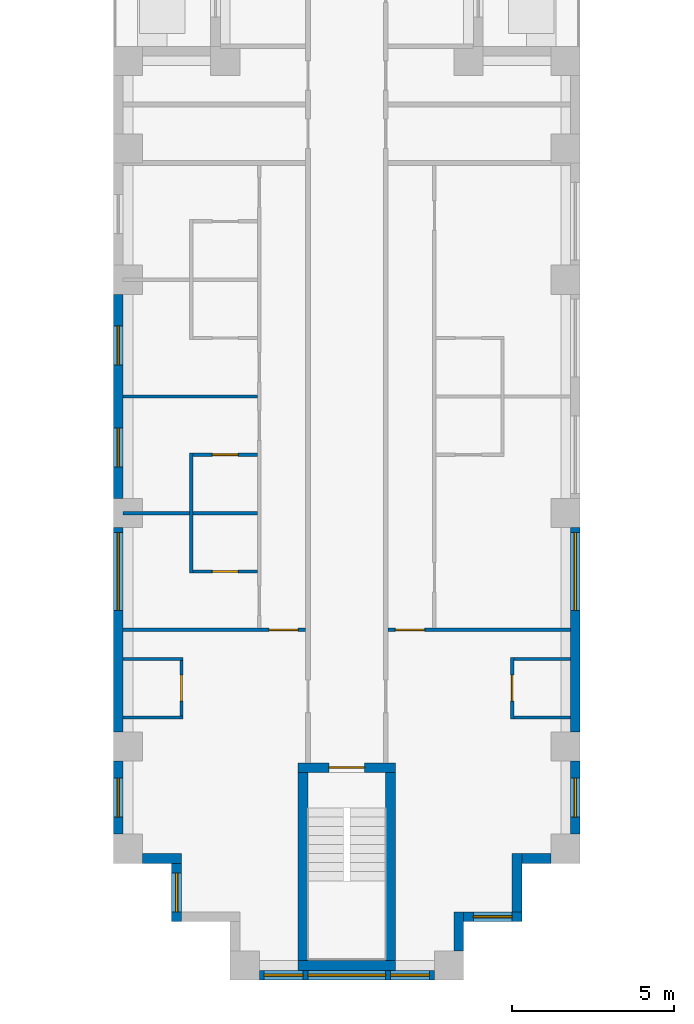
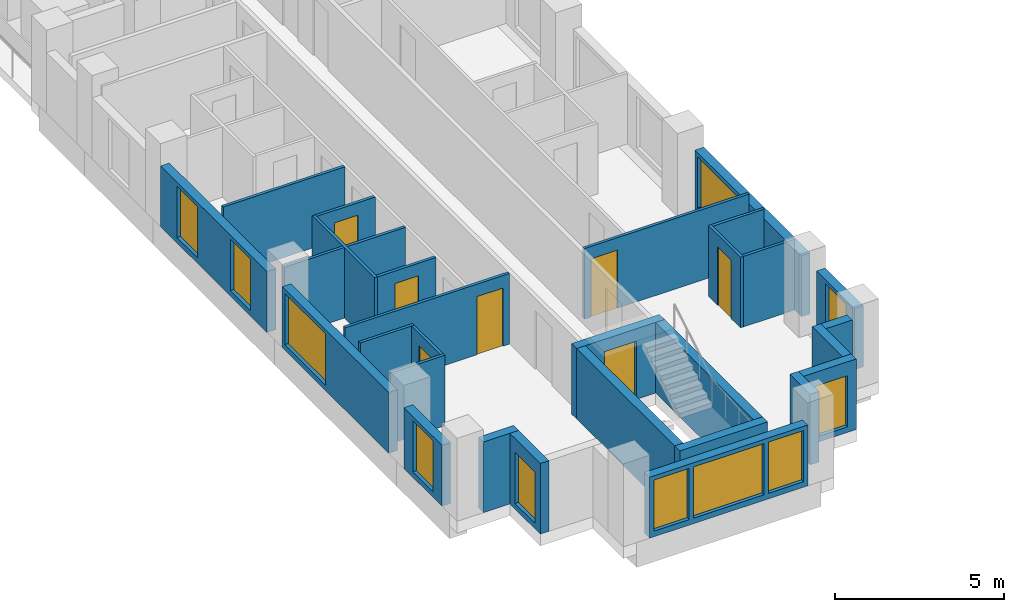
# One storey, part 3 of 13: 29 walls, 11 windows, 7 doors, 18 openings.
"""IFC4 building model written with IfcOpenShell, lengths in metres."""

from ifc_helpers import new_model, si_unit, direction, frame, frame_2d, origin, place, context, subcontext, project, spatial, rectangle, extrude, material, layer, layer_set, type_object, element, fill, save


model = new_model("IFC4")

# Units and contexts
model_context = context("Model", 3, precision=1e-05, world=origin(), true_north=direction((0.0, 1.0)))
body_context = subcontext(model_context, "Body", "Model", "MODEL_VIEW")
ifc_project = project(units=[si_unit("LENGTHUNIT", "METRE"), si_unit("AREAUNIT", "SQUARE_METRE"), si_unit("VOLUMEUNIT", "CUBIC_METRE"), si_unit("PLANEANGLEUNIT", "RADIAN"), si_unit("MASSUNIT", "GRAM", prefix="KILO")], contexts=[model_context])

# Site, building, storey
site_placement = place(None, origin())
site = spatial("IfcSite", under=ifc_project, at=site_placement, CompositionType="ELEMENT")
building_placement = place(site_placement, origin())
building = spatial("IfcBuilding", under=site, at=building_placement, Name="Fustian Cross Tower", CompositionType="ELEMENT")
storey_placement = place(building_placement, frame((0.0, 0.0, 108.89990234375)))
storey = spatial("IfcBuildingStorey", under=building, at=storey_placement, Name="L34", CompositionType="ELEMENT", Elevation=108.89990234375)

# Walls
ifc_material_1 = material(Name="Plasterboard on steel stud", Category="steel")
ifc_layer_1 = layer(ifc_material_1, 0.10009765625)
ifc_layer_set_1 = layer_set([ifc_layer_1], Name="Plasterboard on steel stud")
wall_type_1 = type_object("IfcWallType", Name="PARTITION 100 STUD", PredefinedType="PARTITIONING", material=ifc_layer_set_1)
for number, where, z_axis, x_axis, name in (
    (1, (-6.89990234375, -35.10009765625, 0.0), (0.0, 0.0, 1.0), (1.0, 0.0, 0.0), "Partition 15"),
    (2, (-6.89990234375, -33.300048828125, 0.0), (0.0, 0.0, 1.0), (1.0, 0.0, 0.0), "Partition 16"),
):
    element("IfcWall", number, at=place(storey_placement, frame(where, z_axis=z_axis, x_axis=x_axis)), inside=storey, type_object=wall_type_1, Name=name, PredefinedType="PARTITIONING", context=body_context, shape_type="SweptSolid", body=[
        extrude(rectangle(XDim=1.849853515625, YDim=0.10009765625, at=frame_2d((0.9248046875, 0.0))), origin(), (0.0, 0.0, 1.0), 2.550048828125),
    ])

# Wall, opening, door
wall_1_placement = place(storey_placement, frame((-6.89990234375, -32.39990234375, 0.0), z_axis=(0.0, 0.0, 1.0), x_axis=(1.0, 0.0, 0.0)))
wall_1 = element("IfcWall", 3, at=wall_1_placement, inside=storey, type_object=wall_type_1, Name="Partition 17", PredefinedType="PARTITIONING", context=body_context, shape_type="SweptSolid", body=[
    extrude(rectangle(XDim=5.625, YDim=0.10009765625, at=frame_2d((2.8125, 0.0))), origin(), (0.0, 0.0, 1.0), 2.550048828125),
])
opening_1_placement = place(wall_1_placement, frame((4.5, 0.0, 0.0)))
opening_1 = element("IfcOpeningElement", 4, at=opening_1_placement, cuts=wall_1, Name="Opening D15056", PredefinedType="OPENING", context=body_context, shape_type="SweptSolid", body=[
    extrude(rectangle(XDim=0.89990234375, YDim=2.10009765625, at=frame_2d((0.449951171875, 1.050048828125))), frame((0.0, 0.06005859375, 0.0), z_axis=(0.0, -1.0, 0.0), x_axis=(1.0, 0.0, 0.0)), (0.0, 0.0, 1.0), 0.1201171875),
])
ifc_material_2 = material(Name="Painted timber", Category="wood")
door_type_1 = type_object("IfcDoorType", Name="SWING DOOR 900", OperationType="SINGLE_SWING_LEFT", PredefinedType="DOOR", material=ifc_material_2)
door_1_placement = place(opening_1_placement, origin())
door_1 = element("IfcDoor", 5, at=door_1_placement, inside=storey, type_object=door_type_1, Name="Door D15056", OperationType="SINGLE_SWING_LEFT", OverallHeight=2.10009765625, OverallWidth=0.89990234375, PredefinedType="DOOR", context=body_context, shape_type="SweptSolid", body=[
    extrude(rectangle(XDim=0.89990234375, YDim=2.10009765625, at=frame_2d((0.449951171875, 1.050048828125))), frame((0.0, 0.02490234375, 0.0), z_axis=(0.0, -1.0, 0.0), x_axis=(1.0, 0.0, 0.0)), (0.0, 0.0, 1.0), 0.050048828125),
])
fill(opening_1, door_1)

# Walls
for number, where, z_axis, x_axis, name in (
    (6, (-6.89990234375, -28.800048828125, 0.0), (0.0, 0.0, 1.0), (1.0, 0.0, 0.0), "Partition 18"),
    (7, (-6.89990234375, -25.199951171875, 0.0), (0.0, 0.0, 1.0), (1.0, 0.0, 0.0), "Partition 19"),
):
    element("IfcWall", number, at=place(storey_placement, frame(where, z_axis=z_axis, x_axis=x_axis)), inside=storey, type_object=wall_type_1, Name=name, PredefinedType="PARTITIONING", context=body_context, shape_type="SweptSolid", body=[
        extrude(rectangle(XDim=4.14990234375, YDim=0.10009765625, at=frame_2d((2.074951171875, 0.0))), origin(), (0.0, 0.0, 1.0), 2.550048828125),
    ])

# Wall, opening, door
wall_2_placement = place(storey_placement, frame((-5.10009765625, -35.050048828125, 0.0), z_axis=(0.0, 0.0, 1.0), x_axis=(0.0, 1.0, 0.0)))
wall_2 = element("IfcWall", 8, at=wall_2_placement, inside=storey, type_object=wall_type_1, Name="Partition 24", PredefinedType="PARTITIONING", context=body_context, shape_type="SweptSolid", body=[
    extrude(rectangle(XDim=1.699951171875, YDim=0.10009765625, at=frame_2d((0.85009765625, 0.0))), origin(), (0.0, 0.0, 1.0), 2.550048828125),
])
opening_2_placement = place(wall_2_placement, frame((0.449951171875, 0.0, 0.0)))
opening_2 = element("IfcOpeningElement", 9, at=opening_2_placement, cuts=wall_2, Name="Opening D15050", PredefinedType="OPENING", context=body_context, shape_type="SweptSolid", body=[
    extrude(rectangle(XDim=0.800048828125, YDim=2.10009765625, at=frame_2d((0.39990234375, 1.050048828125))), frame((0.0, 0.06005859375, 0.0), z_axis=(0.0, -1.0, 0.0), x_axis=(1.0, 0.0, 0.0)), (0.0, 0.0, 1.0), 0.1201171875),
])
ifc_material_3 = material(Name="Painted timber", Category="wood")
door_type_2 = type_object("IfcDoorType", Name="SWING DOOR 800", OperationType="SINGLE_SWING_LEFT", PredefinedType="DOOR", material=ifc_material_3)
door_2_placement = place(opening_2_placement, origin())
door_2 = element("IfcDoor", 10, at=door_2_placement, inside=storey, type_object=door_type_2, Name="Door D15050", OperationType="SINGLE_SWING_RIGHT", OverallHeight=2.10009765625, OverallWidth=0.800048828125, PredefinedType="DOOR", context=body_context, shape_type="SweptSolid", body=[
    extrude(rectangle(XDim=0.800048828125, YDim=2.10009765625, at=frame_2d((0.39990234375, 1.050048828125))), frame((0.0, 0.02490234375, 0.0), z_axis=(0.0, -1.0, 0.0), x_axis=(1.0, 0.0, 0.0)), (0.0, 0.0, 1.0), 0.050048828125),
])
fill(opening_2, door_2)

# Wall
wall_3_placement = place(storey_placement, frame((-4.800048828125, -30.64990234375, 0.0), z_axis=(0.0, 0.0, 1.0), x_axis=(0.0, 1.0, 0.0)))
element("IfcWall", 11, at=wall_3_placement, inside=storey, type_object=wall_type_1, Name="Partition 25", PredefinedType="PARTITIONING", context=body_context, shape_type="SweptSolid", body=[
    extrude(rectangle(XDim=3.699951171875, YDim=0.10009765625, at=frame_2d((1.85009765625, 0.0))), origin(), (0.0, 0.0, 1.0), 2.550048828125),
])

# Wall, opening, door
wall_4_placement = place(storey_placement, frame((-4.75, -30.60009765625, 0.0), z_axis=(0.0, 0.0, 1.0), x_axis=(1.0, 0.0, 0.0)))
wall_4 = element("IfcWall", 12, at=wall_4_placement, inside=storey, type_object=wall_type_1, Name="Partition 26", PredefinedType="PARTITIONING", context=body_context, shape_type="SweptSolid", body=[
    extrude(rectangle(XDim=2.0, YDim=0.10009765625, at=frame_2d((1.0, 0.0))), origin(), (0.0, 0.0, 1.0), 2.550048828125),
])
opening_3_placement = place(wall_4_placement, frame((0.60009765625, 0.0, 0.0)))
opening_3 = element("IfcOpeningElement", 13, at=opening_3_placement, cuts=wall_4, Name="Opening D15060", PredefinedType="OPENING", context=body_context, shape_type="SweptSolid", body=[
    extrude(rectangle(XDim=0.800048828125, YDim=2.10009765625, at=frame_2d((0.39990234375, 1.050048828125))), frame((0.0, 0.06005859375, 0.0), z_axis=(0.0, -1.0, 0.0), x_axis=(1.0, 0.0, 0.0)), (0.0, 0.0, 1.0), 0.1201171875),
])
door_3_placement = place(opening_3_placement, origin())
door_3 = element("IfcDoor", 14, at=door_3_placement, inside=storey, type_object=door_type_2, Name="Door D15060", OperationType="SINGLE_SWING_LEFT", OverallHeight=2.10009765625, OverallWidth=0.800048828125, PredefinedType="DOOR", context=body_context, shape_type="SweptSolid", body=[
    extrude(rectangle(XDim=0.800048828125, YDim=2.10009765625, at=frame_2d((0.39990234375, 1.050048828125))), frame((0.0, 0.02490234375, 0.0), z_axis=(0.0, -1.0, 0.0), x_axis=(1.0, 0.0, 0.0)), (0.0, 0.0, 1.0), 0.050048828125),
])
fill(opening_3, door_3)

wall_5_placement = place(storey_placement, frame((-4.75, -27.0, 0.0), z_axis=(0.0, 0.0, 1.0), x_axis=(1.0, 0.0, 0.0)))
wall_5 = element("IfcWall", 15, at=wall_5_placement, inside=storey, type_object=wall_type_1, Name="Partition 27", PredefinedType="PARTITIONING", context=body_context, shape_type="SweptSolid", body=[
    extrude(rectangle(XDim=2.0, YDim=0.10009765625, at=frame_2d((1.0, 0.0))), origin(), (0.0, 0.0, 1.0), 2.550048828125),
])
opening_4_placement = place(wall_5_placement, frame((0.60009765625, 0.0, 0.0)))
opening_4 = element("IfcOpeningElement", 16, at=opening_4_placement, cuts=wall_5, Name="Opening D15059", PredefinedType="OPENING", context=body_context, shape_type="SweptSolid", body=[
    extrude(rectangle(XDim=0.800048828125, YDim=2.10009765625, at=frame_2d((0.39990234375, 1.050048828125))), frame((0.0, 0.06005859375, 0.0), z_axis=(0.0, -1.0, 0.0), x_axis=(1.0, 0.0, 0.0)), (0.0, 0.0, 1.0), 0.1201171875),
])
door_4_placement = place(opening_4_placement, frame((0.800048828125, 0.0, 0.0), z_axis=(0.0, 0.0, 1.0), x_axis=(-1.0, 0.0, 0.0)))
door_4 = element("IfcDoor", 17, at=door_4_placement, inside=storey, type_object=door_type_2, Name="Door D15059", OperationType="SINGLE_SWING_RIGHT", OverallHeight=2.10009765625, OverallWidth=0.800048828125, PredefinedType="DOOR", context=body_context, shape_type="SweptSolid", body=[
    extrude(rectangle(XDim=0.800048828125, YDim=2.10009765625, at=frame_2d((0.39990234375, 1.050048828125))), frame((0.0, 0.02490234375, 0.0), z_axis=(0.0, -1.0, 0.0), x_axis=(1.0, 0.0, 0.0)), (0.0, 0.0, 1.0), 0.050048828125),
])
fill(opening_4, door_4)

wall_6_placement = place(storey_placement, frame((1.27490234375, -32.39990234375, 0.0), z_axis=(0.0, 0.0, 1.0), x_axis=(1.0, 0.0, 0.0)))
wall_6 = element("IfcWall", 18, at=wall_6_placement, inside=storey, type_object=wall_type_1, Name="Partition 44", PredefinedType="PARTITIONING", context=body_context, shape_type="SweptSolid", body=[
    extrude(rectangle(XDim=5.625, YDim=0.10009765625, at=frame_2d((2.8125, 0.0))), origin(), (0.0, 0.0, 1.0), 2.550048828125),
])
opening_5_placement = place(wall_6_placement, frame((0.22509765625, 0.0, 0.0)))
opening_5 = element("IfcOpeningElement", 19, at=opening_5_placement, cuts=wall_6, Name="Opening D15042", PredefinedType="OPENING", context=body_context, shape_type="SweptSolid", body=[
    extrude(rectangle(XDim=0.89990234375, YDim=2.10009765625, at=frame_2d((0.449951171875, 1.050048828125))), frame((0.0, 0.06005859375, 0.0), z_axis=(0.0, -1.0, 0.0), x_axis=(1.0, 0.0, 0.0)), (0.0, 0.0, 1.0), 0.1201171875),
])
door_5_placement = place(opening_5_placement, origin())
door_5 = element("IfcDoor", 20, at=door_5_placement, inside=storey, type_object=door_type_1, Name="Door D15042", OperationType="SINGLE_SWING_LEFT", OverallHeight=2.10009765625, OverallWidth=0.89990234375, PredefinedType="DOOR", context=body_context, shape_type="SweptSolid", body=[
    extrude(rectangle(XDim=0.89990234375, YDim=2.10009765625, at=frame_2d((0.449951171875, 1.050048828125))), frame((0.0, 0.02490234375, 0.0), z_axis=(0.0, -1.0, 0.0), x_axis=(1.0, 0.0, 0.0)), (0.0, 0.0, 1.0), 0.050048828125),
])
fill(opening_5, door_5)

wall_7_placement = place(storey_placement, frame((5.10009765625, -35.14990234375, 0.0), z_axis=(0.0, 0.0, 1.0), x_axis=(0.0, 1.0, 0.0)))
wall_7 = element("IfcWall", 21, at=wall_7_placement, inside=storey, type_object=wall_type_1, Name="Partition 66", PredefinedType="PARTITIONING", context=body_context, shape_type="SweptSolid", body=[
    extrude(rectangle(XDim=1.89990234375, YDim=0.10009765625, at=frame_2d((0.949951171875, 0.0))), origin(), (0.0, 0.0, 1.0), 2.550048828125),
])
opening_6_placement = place(wall_7_placement, frame((0.550048828125, 0.0, 0.0)))
opening_6 = element("IfcOpeningElement", 22, at=opening_6_placement, cuts=wall_7, Name="Opening D15040", PredefinedType="OPENING", context=body_context, shape_type="SweptSolid", body=[
    extrude(rectangle(XDim=0.800048828125, YDim=2.10009765625, at=frame_2d((0.39990234375, 1.050048828125))), frame((0.0, 0.06005859375, 0.0), z_axis=(0.0, -1.0, 0.0), x_axis=(1.0, 0.0, 0.0)), (0.0, 0.0, 1.0), 0.1201171875),
])
door_6_placement = place(opening_6_placement, frame((0.800048828125, 0.0, 0.0), z_axis=(0.0, 0.0, 1.0), x_axis=(-1.0, 0.0, 0.0)))
door_6 = element("IfcDoor", 23, at=door_6_placement, inside=storey, type_object=door_type_2, Name="Door D15040", OperationType="SINGLE_SWING_LEFT", OverallHeight=2.10009765625, OverallWidth=0.800048828125, PredefinedType="DOOR", context=body_context, shape_type="SweptSolid", body=[
    extrude(rectangle(XDim=0.800048828125, YDim=2.10009765625, at=frame_2d((0.39990234375, 1.050048828125))), frame((0.0, 0.02490234375, 0.0), z_axis=(0.0, -1.0, 0.0), x_axis=(1.0, 0.0, 0.0)), (0.0, 0.0, 1.0), 0.050048828125),
])
fill(opening_6, door_6)

# Walls
for number, where, z_axis, x_axis, name in (
    (24, (5.14990234375, -35.10009765625, 0.0), (0.0, 0.0, 1.0), (1.0, 0.0, 0.0), "Partition 67"),
    (25, (5.14990234375, -33.300048828125, 0.0), (0.0, 0.0, 1.0), (1.0, 0.0, 0.0), "Partition 68"),
):
    element("IfcWall", number, at=place(storey_placement, frame(where, z_axis=z_axis, x_axis=x_axis)), inside=storey, type_object=wall_type_1, Name=name, PredefinedType="PARTITIONING", context=body_context, shape_type="SweptSolid", body=[
        extrude(rectangle(XDim=1.75, YDim=0.10009765625, at=frame_2d((0.875, 0.0))), origin(), (0.0, 0.0, 1.0), 2.550048828125),
    ])

# Wall, opening, door
ifc_material_4 = material(Name="Concrete C50/60", Category="concrete")
ifc_layer_2 = layer(ifc_material_4, 0.300048828125)
ifc_layer_set_2 = layer_set([ifc_layer_2], Name="Concrete C50/60")
wall_type_2 = type_object("IfcWallType", Name="STAIR ENCLOSURE WALL 300 C50/60", PredefinedType="SHEAR", material=ifc_layer_set_2)
wall_8_placement = place(storey_placement, frame((-1.5, -36.64990234375, 0.0), z_axis=(0.0, 0.0, 1.0), x_axis=(1.0, 0.0, 0.0)))
wall_8 = element("IfcWall", 26, at=wall_8_placement, inside=storey, type_object=wall_type_2, Name="Stair enclosure wall", PredefinedType="SHEAR", context=body_context, shape_type="SweptSolid", body=[
    extrude(rectangle(XDim=3.0, YDim=0.300048828125, at=frame_2d((1.5, 0.0))), origin(), (0.0, 0.0, 1.0), 2.550048828125),
])
opening_7_placement = place(wall_8_placement, frame((0.949951171875, 0.0, 0.0)))
opening_7 = element("IfcOpeningElement", 27, at=opening_7_placement, cuts=wall_8, Name="Opening CD-12-31", PredefinedType="OPENING", context=body_context, shape_type="SweptSolid", body=[
    extrude(rectangle(XDim=1.10009765625, YDim=2.10009765625, at=frame_2d((0.550048828125, 1.050048828125))), frame((0.0, 0.159912109375, 0.0), z_axis=(0.0, -1.0, 0.0), x_axis=(1.0, 0.0, 0.0)), (0.0, 0.0, 1.0), 0.320068359375),
])
ifc_material_5 = material(Name="Steel", Category="steel")
door_type_3 = type_object("IfcDoorType", Name="FIRE DOOR FD60S 1100X2100", OperationType="SINGLE_SWING_LEFT", PredefinedType="DOOR", material=ifc_material_5)
door_7_placement = place(opening_7_placement, frame((1.10009765625, 0.0, 0.0), z_axis=(0.0, 0.0, 1.0), x_axis=(-1.0, 0.0, 0.0)))
door_7 = element("IfcDoor", 28, at=door_7_placement, inside=storey, type_object=door_type_3, Name="Core door CD-12-31", OperationType="SINGLE_SWING_RIGHT", OverallHeight=2.10009765625, OverallWidth=1.10009765625, PredefinedType="DOOR", context=body_context, shape_type="SweptSolid", body=[
    extrude(rectangle(XDim=1.10009765625, YDim=2.10009765625, at=frame_2d((0.550048828125, 1.050048828125))), frame((0.0, 0.02490234375, 0.0), z_axis=(0.0, -1.0, 0.0), x_axis=(1.0, 0.0, 0.0)), (0.0, 0.0, 1.0), 0.050048828125),
])
fill(opening_7, door_7)

# Walls
wall_9_placement = place(storey_placement, frame((-1.5, -42.75, 0.0), z_axis=(0.0, 0.0, 1.0), x_axis=(1.0, 0.0, 0.0)))
element("IfcWall", 29, at=wall_9_placement, inside=storey, type_object=wall_type_2, Name="Stair enclosure wall", PredefinedType="SHEAR", context=body_context, shape_type="SweptSolid", body=[
    extrude(rectangle(XDim=3.0, YDim=0.300048828125, at=frame_2d((1.5, 0.0))), origin(), (0.0, 0.0, 1.0), 2.550048828125),
])
for number, where, z_axis, x_axis, name in (
    (30, (-1.35009765625, -36.800048828125, 0.0), (0.0, 0.0, 1.0), (0.0, -1.0, 0.0), "Stair enclosure wall"),
    (31, (1.35009765625, -36.800048828125, 0.0), (0.0, 0.0, 1.0), (0.0, -1.0, 0.0), "Stair enclosure wall"),
):
    element("IfcWall", number, at=place(storey_placement, frame(where, z_axis=z_axis, x_axis=x_axis)), inside=storey, type_object=wall_type_2, Name=name, PredefinedType="SHEAR", context=body_context, shape_type="SweptSolid", body=[
        extrude(rectangle(XDim=5.800048828125, YDim=0.300048828125, at=frame_2d((2.89990234375, 0.0))), origin(), (0.0, 0.0, 1.0), 2.550048828125),
    ])

# Wall, openings, windows
ifc_material_6 = material(Name="Dark aluminium cladding on insulated backing wall", Category="aluminium")
ifc_layer_3 = layer(ifc_material_6, 0.300048828125)
ifc_layer_set_3 = layer_set([ifc_layer_3], Name="Dark aluminium cladding on insulated backing wall")
wall_type_3 = type_object("IfcWallType", Name="XW1 EXTERNAL WALL 300", PredefinedType="SOLIDWALL", material=ifc_layer_set_3)
wall_10_placement = place(storey_placement, frame((-7.050048828125, -22.050048828125, 0.0), z_axis=(0.0, 0.0, 1.0), x_axis=(0.0, -1.0, 0.0)))
wall_10 = element("IfcWall", 32, at=wall_10_placement, inside=storey, type_object=wall_type_3, Name="External wall", PredefinedType="SOLIDWALL", context=body_context, shape_type="SweptSolid", body=[
    extrude(rectangle(XDim=6.300048828125, YDim=0.300048828125, at=frame_2d((3.14990234375, 0.0))), origin(), (0.0, 0.0, 1.0), 2.2001953125),
])
opening_8_placement = place(wall_10_placement, frame((0.97509765625, 0.0, 0.199951171875)))
opening_8 = element("IfcOpeningElement", 33, at=opening_8_placement, cuts=wall_10, Name="Opening WN3", PredefinedType="OPENING", context=body_context, shape_type="SweptSolid", body=[
    extrude(rectangle(XDim=1.199951171875, YDim=1.85009765625, at=frame_2d((0.60009765625, 0.925048828125))), frame((0.0, 0.159912109375, 0.0), z_axis=(0.0, -1.0, 0.0), x_axis=(1.0, 0.0, 0.0)), (0.0, 0.0, 1.0), 0.320068359375),
])
opening_9_placement = place(wall_10_placement, frame((4.125, 0.0, 0.199951171875)))
opening_9 = element("IfcOpeningElement", 34, at=opening_9_placement, cuts=wall_10, Name="Opening WN3", PredefinedType="OPENING", context=body_context, shape_type="SweptSolid", body=[
    extrude(rectangle(XDim=1.199951171875, YDim=1.85009765625, at=frame_2d((0.60009765625, 0.925048828125))), frame((0.0, 0.159912109375, 0.0), z_axis=(0.0, -1.0, 0.0), x_axis=(1.0, 0.0, 0.0)), (0.0, 0.0, 1.0), 0.320068359375),
])
ifc_material_7 = material(Name="Dark anodised aluminium and double glazing", Category="aluminium")
window_type_1 = type_object("IfcWindowType", Name="WN3 WINDOW 1200X1850", PartitioningType="SINGLE_PANEL", PredefinedType="WINDOW", material=ifc_material_7)
window_1_placement = place(opening_8_placement, origin())
window_1 = element("IfcWindow", 35, at=window_1_placement, inside=storey, type_object=window_type_1, Name="Window", OverallHeight=1.85009765625, OverallWidth=1.199951171875, PartitioningType="SINGLE_PANEL", PredefinedType="WINDOW", context=body_context, shape_type="SweptSolid", body=[
    extrude(rectangle(XDim=1.199951171875, YDim=1.85009765625, at=frame_2d((0.60009765625, 0.925048828125))), frame((0.0, 0.030029296875, 0.0), z_axis=(0.0, -1.0, 0.0), x_axis=(1.0, 0.0, 0.0)), (0.0, 0.0, 1.0), 0.06005859375),
])
fill(opening_8, window_1)
window_2_placement = place(opening_9_placement, origin())
window_2 = element("IfcWindow", 36, at=window_2_placement, inside=storey, type_object=window_type_1, Name="Window", OverallHeight=1.85009765625, OverallWidth=1.199951171875, PartitioningType="SINGLE_PANEL", PredefinedType="WINDOW", context=body_context, shape_type="SweptSolid", body=[
    extrude(rectangle(XDim=1.199951171875, YDim=1.85009765625, at=frame_2d((0.60009765625, 0.925048828125))), frame((0.0, 0.030029296875, 0.0), z_axis=(0.0, -1.0, 0.0), x_axis=(1.0, 0.0, 0.0)), (0.0, 0.0, 1.0), 0.06005859375),
])
fill(opening_9, window_2)

# Wall, opening, window
wall_11_placement = place(storey_placement, frame((-7.050048828125, -29.25, 0.0), z_axis=(0.0, 0.0, 1.0), x_axis=(0.0, -1.0, 0.0)))
wall_11 = element("IfcWall", 37, at=wall_11_placement, inside=storey, type_object=wall_type_3, Name="External wall", PredefinedType="SOLIDWALL", context=body_context, shape_type="SweptSolid", body=[
    extrude(rectangle(XDim=6.300048828125, YDim=0.300048828125, at=frame_2d((3.14990234375, 0.0))), origin(), (0.0, 0.0, 1.0), 2.2001953125),
])
opening_10_placement = place(wall_11_placement, frame((0.14990234375, 0.0, 0.199951171875)))
opening_10 = element("IfcOpeningElement", 38, at=opening_10_placement, cuts=wall_11, Name="Opening WN1", PredefinedType="OPENING", context=body_context, shape_type="SweptSolid", body=[
    extrude(rectangle(XDim=2.39990234375, YDim=1.85009765625, at=frame_2d((1.199951171875, 0.925048828125))), frame((0.0, 0.159912109375, 0.0), z_axis=(0.0, -1.0, 0.0), x_axis=(1.0, 0.0, 0.0)), (0.0, 0.0, 1.0), 0.320068359375),
])
ifc_material_8 = material(Name="Dark anodised aluminium and double glazing", Category="aluminium")
window_type_2 = type_object("IfcWindowType", Name="WN1 WINDOW 2400X1850", PartitioningType="SINGLE_PANEL", PredefinedType="WINDOW", material=ifc_material_8)
window_3_placement = place(opening_10_placement, origin())
window_3 = element("IfcWindow", 39, at=window_3_placement, inside=storey, type_object=window_type_2, Name="Window", OverallHeight=1.85009765625, OverallWidth=2.39990234375, PartitioningType="SINGLE_PANEL", PredefinedType="WINDOW", context=body_context, shape_type="SweptSolid", body=[
    extrude(rectangle(XDim=2.39990234375, YDim=1.85009765625, at=frame_2d((1.199951171875, 0.925048828125))), frame((0.0, 0.030029296875, 0.0), z_axis=(0.0, -1.0, 0.0), x_axis=(1.0, 0.0, 0.0)), (0.0, 0.0, 1.0), 0.06005859375),
])
fill(opening_10, window_3)

wall_12_placement = place(storey_placement, frame((-7.050048828125, -36.449951171875, 0.0), z_axis=(0.0, 0.0, 1.0), x_axis=(0.0, -1.0, 0.0)))
wall_12 = element("IfcWall", 40, at=wall_12_placement, inside=storey, type_object=wall_type_3, Name="External wall", PredefinedType="SOLIDWALL", context=body_context, shape_type="SweptSolid", body=[
    extrude(rectangle(XDim=2.25, YDim=0.300048828125, at=frame_2d((1.125, 0.0))), origin(), (0.0, 0.0, 1.0), 2.2001953125),
])
opening_11_placement = place(wall_12_placement, frame((0.52490234375, 0.0, 0.199951171875)))
opening_11 = element("IfcOpeningElement", 41, at=opening_11_placement, cuts=wall_12, Name="Opening WN3", PredefinedType="OPENING", context=body_context, shape_type="SweptSolid", body=[
    extrude(rectangle(XDim=1.199951171875, YDim=1.85009765625, at=frame_2d((0.60009765625, 0.925048828125))), frame((0.0, 0.159912109375, 0.0), z_axis=(0.0, -1.0, 0.0), x_axis=(1.0, 0.0, 0.0)), (0.0, 0.0, 1.0), 0.320068359375),
])
window_4_placement = place(opening_11_placement, origin())
window_4 = element("IfcWindow", 42, at=window_4_placement, inside=storey, type_object=window_type_1, Name="Window", OverallHeight=1.85009765625, OverallWidth=1.199951171875, PartitioningType="SINGLE_PANEL", PredefinedType="WINDOW", context=body_context, shape_type="SweptSolid", body=[
    extrude(rectangle(XDim=1.199951171875, YDim=1.85009765625, at=frame_2d((0.60009765625, 0.925048828125))), frame((0.0, 0.030029296875, 0.0), z_axis=(0.0, -1.0, 0.0), x_axis=(1.0, 0.0, 0.0)), (0.0, 0.0, 1.0), 0.06005859375),
])
fill(opening_11, window_4)

# Wall
wall_13_placement = place(storey_placement, frame((-6.300048828125, -39.449951171875, 0.0), z_axis=(0.0, 0.0, 1.0), x_axis=(1.0, 0.0, 0.0)))
element("IfcWall", 43, at=wall_13_placement, inside=storey, type_object=wall_type_3, Name="External wall", PredefinedType="SOLIDWALL", context=body_context, shape_type="SweptSolid", body=[
    extrude(rectangle(XDim=1.199951171875, YDim=0.300048828125, at=frame_2d((0.60009765625, 0.0))), origin(), (0.0, 0.0, 1.0), 2.550048828125),
])

# Wall, opening, window
wall_14_placement = place(storey_placement, frame((-5.25, -39.60009765625, 0.0), z_axis=(0.0, 0.0, 1.0), x_axis=(0.0, -1.0, 0.0)))
wall_14 = element("IfcWall", 44, at=wall_14_placement, inside=storey, type_object=wall_type_3, Name="External wall", PredefinedType="SOLIDWALL", context=body_context, shape_type="SweptSolid", body=[
    extrude(rectangle(XDim=1.7998046875, YDim=0.300048828125, at=frame_2d((0.89990234375, 0.0))), origin(), (0.0, 0.0, 1.0), 2.550048828125),
])
opening_12_placement = place(wall_14_placement, frame((0.300048828125, 0.0, 0.199951171875)))
opening_12 = element("IfcOpeningElement", 45, at=opening_12_placement, cuts=wall_14, Name="Opening WN3", PredefinedType="OPENING", context=body_context, shape_type="SweptSolid", body=[
    extrude(rectangle(XDim=1.199951171875, YDim=1.85009765625, at=frame_2d((0.60009765625, 0.925048828125))), frame((0.0, 0.159912109375, 0.0), z_axis=(0.0, -1.0, 0.0), x_axis=(1.0, 0.0, 0.0)), (0.0, 0.0, 1.0), 0.320068359375),
])
window_5_placement = place(opening_12_placement, origin())
window_5 = element("IfcWindow", 46, at=window_5_placement, inside=storey, type_object=window_type_1, Name="Window", OverallHeight=1.85009765625, OverallWidth=1.199951171875, PartitioningType="SINGLE_PANEL", PredefinedType="WINDOW", context=body_context, shape_type="SweptSolid", body=[
    extrude(rectangle(XDim=1.199951171875, YDim=1.85009765625, at=frame_2d((0.60009765625, 0.925048828125))), frame((0.0, 0.030029296875, 0.0), z_axis=(0.0, -1.0, 0.0), x_axis=(1.0, 0.0, 0.0)), (0.0, 0.0, 1.0), 0.06005859375),
])
fill(opening_12, window_5)

# Wall, openings, windows
wall_15_placement = place(storey_placement, frame((-2.699951171875, -43.050048828125, 0.0), z_axis=(0.0, 0.0, 1.0), x_axis=(1.0, 0.0, 0.0)))
wall_15 = element("IfcWall", 47, at=wall_15_placement, inside=storey, type_object=wall_type_3, Name="External wall", PredefinedType="SOLIDWALL", context=body_context, shape_type="SweptSolid", body=[
    extrude(rectangle(XDim=5.39990234375, YDim=0.300048828125, at=frame_2d((2.699951171875, 0.0))), origin(), (0.0, 0.0, 1.0), 2.2001953125),
])
opening_13_placement = place(wall_15_placement, frame((1.5, 0.0, 0.199951171875)))
opening_13 = element("IfcOpeningElement", 48, at=opening_13_placement, cuts=wall_15, Name="Opening WN1", PredefinedType="OPENING", context=body_context, shape_type="SweptSolid", body=[
    extrude(rectangle(XDim=2.39990234375, YDim=1.85009765625, at=frame_2d((1.199951171875, 0.925048828125))), frame((0.0, 0.159912109375, 0.0), z_axis=(0.0, -1.0, 0.0), x_axis=(1.0, 0.0, 0.0)), (0.0, 0.0, 1.0), 0.320068359375),
])
opening_14_placement = place(wall_15_placement, frame((0.14990234375, 0.0, 0.199951171875)))
opening_14 = element("IfcOpeningElement", 49, at=opening_14_placement, cuts=wall_15, Name="Opening WN3", PredefinedType="OPENING", context=body_context, shape_type="SweptSolid", body=[
    extrude(rectangle(XDim=1.199951171875, YDim=1.85009765625, at=frame_2d((0.60009765625, 0.925048828125))), frame((0.0, 0.159912109375, 0.0), z_axis=(0.0, -1.0, 0.0), x_axis=(1.0, 0.0, 0.0)), (0.0, 0.0, 1.0), 0.320068359375),
])
opening_15_placement = place(wall_15_placement, frame((4.050048828125, 0.0, 0.199951171875)))
opening_15 = element("IfcOpeningElement", 50, at=opening_15_placement, cuts=wall_15, Name="Opening WN3", PredefinedType="OPENING", context=body_context, shape_type="SweptSolid", body=[
    extrude(rectangle(XDim=1.199951171875, YDim=1.85009765625, at=frame_2d((0.60009765625, 0.925048828125))), frame((0.0, 0.159912109375, 0.0), z_axis=(0.0, -1.0, 0.0), x_axis=(1.0, 0.0, 0.0)), (0.0, 0.0, 1.0), 0.320068359375),
])
window_6_placement = place(opening_13_placement, origin())
window_6 = element("IfcWindow", 51, at=window_6_placement, inside=storey, type_object=window_type_2, Name="Window", OverallHeight=1.85009765625, OverallWidth=2.39990234375, PartitioningType="SINGLE_PANEL", PredefinedType="WINDOW", context=body_context, shape_type="SweptSolid", body=[
    extrude(rectangle(XDim=2.39990234375, YDim=1.85009765625, at=frame_2d((1.199951171875, 0.925048828125))), frame((0.0, 0.030029296875, 0.0), z_axis=(0.0, -1.0, 0.0), x_axis=(1.0, 0.0, 0.0)), (0.0, 0.0, 1.0), 0.06005859375),
])
fill(opening_13, window_6)
window_7_placement = place(opening_14_placement, origin())
window_7 = element("IfcWindow", 52, at=window_7_placement, inside=storey, type_object=window_type_1, Name="Window", OverallHeight=1.85009765625, OverallWidth=1.199951171875, PartitioningType="SINGLE_PANEL", PredefinedType="WINDOW", context=body_context, shape_type="SweptSolid", body=[
    extrude(rectangle(XDim=1.199951171875, YDim=1.85009765625, at=frame_2d((0.60009765625, 0.925048828125))), frame((0.0, 0.030029296875, 0.0), z_axis=(0.0, -1.0, 0.0), x_axis=(1.0, 0.0, 0.0)), (0.0, 0.0, 1.0), 0.06005859375),
])
fill(opening_14, window_7)
window_8_placement = place(opening_15_placement, origin())
window_8 = element("IfcWindow", 53, at=window_8_placement, inside=storey, type_object=window_type_1, Name="Window", OverallHeight=1.85009765625, OverallWidth=1.199951171875, PartitioningType="SINGLE_PANEL", PredefinedType="WINDOW", context=body_context, shape_type="SweptSolid", body=[
    extrude(rectangle(XDim=1.199951171875, YDim=1.85009765625, at=frame_2d((0.60009765625, 0.925048828125))), frame((0.0, 0.030029296875, 0.0), z_axis=(0.0, -1.0, 0.0), x_axis=(1.0, 0.0, 0.0)), (0.0, 0.0, 1.0), 0.06005859375),
])
fill(opening_15, window_8)

# Wall
wall_16_placement = place(storey_placement, frame((3.449951171875, -42.300048828125, 0.0), z_axis=(0.0, 0.0, 1.0), x_axis=(0.0, 1.0, 0.0)))
element("IfcWall", 54, at=wall_16_placement, inside=storey, type_object=wall_type_3, Name="External wall", PredefinedType="SOLIDWALL", context=body_context, shape_type="SweptSolid", body=[
    extrude(rectangle(XDim=1.199951171875, YDim=0.300048828125, at=frame_2d((0.60009765625, 0.0))), origin(), (0.0, 0.0, 1.0), 2.550048828125),
])

# Wall, opening, window
wall_17_placement = place(storey_placement, frame((3.60009765625, -41.25, 0.0), z_axis=(0.0, 0.0, 1.0), x_axis=(1.0, 0.0, 0.0)))
wall_17 = element("IfcWall", 55, at=wall_17_placement, inside=storey, type_object=wall_type_3, Name="External wall", PredefinedType="SOLIDWALL", context=body_context, shape_type="SweptSolid", body=[
    extrude(rectangle(XDim=1.7998046875, YDim=0.300048828125, at=frame_2d((0.89990234375, 0.0))), origin(), (0.0, 0.0, 1.0), 2.550048828125),
])
opening_16_placement = place(wall_17_placement, frame((0.300048828125, 0.0, 0.199951171875)))
opening_16 = element("IfcOpeningElement", 56, at=opening_16_placement, cuts=wall_17, Name="Opening WN3", PredefinedType="OPENING", context=body_context, shape_type="SweptSolid", body=[
    extrude(rectangle(XDim=1.199951171875, YDim=1.85009765625, at=frame_2d((0.60009765625, 0.925048828125))), frame((0.0, 0.159912109375, 0.0), z_axis=(0.0, -1.0, 0.0), x_axis=(1.0, 0.0, 0.0)), (0.0, 0.0, 1.0), 0.320068359375),
])
window_9_placement = place(opening_16_placement, origin())
window_9 = element("IfcWindow", 57, at=window_9_placement, inside=storey, type_object=window_type_1, Name="Window", OverallHeight=1.85009765625, OverallWidth=1.199951171875, PartitioningType="SINGLE_PANEL", PredefinedType="WINDOW", context=body_context, shape_type="SweptSolid", body=[
    extrude(rectangle(XDim=1.199951171875, YDim=1.85009765625, at=frame_2d((0.60009765625, 0.925048828125))), frame((0.0, 0.030029296875, 0.0), z_axis=(0.0, -1.0, 0.0), x_axis=(1.0, 0.0, 0.0)), (0.0, 0.0, 1.0), 0.06005859375),
])
fill(opening_16, window_9)

# Walls
wall_18_placement = place(storey_placement, frame((5.25, -41.10009765625, 0.0), z_axis=(0.0, 0.0, 1.0), x_axis=(0.0, 1.0, 0.0)))
element("IfcWall", 58, at=wall_18_placement, inside=storey, type_object=wall_type_3, Name="External wall", PredefinedType="SOLIDWALL", context=body_context, shape_type="SweptSolid", body=[
    extrude(rectangle(XDim=1.800048828125, YDim=0.300048828125, at=frame_2d((0.89990234375, 0.0))), origin(), (0.0, 0.0, 1.0), 2.550048828125),
])
wall_19_placement = place(storey_placement, frame((5.39990234375, -39.449951171875, 0.0), z_axis=(0.0, 0.0, 1.0), x_axis=(1.0, 0.0, 0.0)))
element("IfcWall", 59, at=wall_19_placement, inside=storey, type_object=wall_type_3, Name="External wall", PredefinedType="SOLIDWALL", context=body_context, shape_type="SweptSolid", body=[
    extrude(rectangle(XDim=0.900146484375, YDim=0.300048828125, at=frame_2d((0.4501953125, 0.0))), origin(), (0.0, 0.0, 1.0), 2.550048828125),
])

# Wall, opening, window
wall_20_placement = place(storey_placement, frame((7.050048828125, -38.699951171875, 0.0), z_axis=(0.0, 0.0, 1.0), x_axis=(0.0, 1.0, 0.0)))
wall_20 = element("IfcWall", 60, at=wall_20_placement, inside=storey, type_object=wall_type_3, Name="External wall", PredefinedType="SOLIDWALL", context=body_context, shape_type="SweptSolid", body=[
    extrude(rectangle(XDim=2.25, YDim=0.300048828125, at=frame_2d((1.125, 0.0))), origin(), (0.0, 0.0, 1.0), 2.2001953125),
])
opening_17_placement = place(wall_20_placement, frame((0.52490234375, 0.0, 0.199951171875)))
opening_17 = element("IfcOpeningElement", 61, at=opening_17_placement, cuts=wall_20, Name="Opening WN3", PredefinedType="OPENING", context=body_context, shape_type="SweptSolid", body=[
    extrude(rectangle(XDim=1.199951171875, YDim=1.85009765625, at=frame_2d((0.60009765625, 0.925048828125))), frame((0.0, 0.159912109375, 0.0), z_axis=(0.0, -1.0, 0.0), x_axis=(1.0, 0.0, 0.0)), (0.0, 0.0, 1.0), 0.320068359375),
])
window_10_placement = place(opening_17_placement, origin())
window_10 = element("IfcWindow", 62, at=window_10_placement, inside=storey, type_object=window_type_1, Name="Window", OverallHeight=1.85009765625, OverallWidth=1.199951171875, PartitioningType="SINGLE_PANEL", PredefinedType="WINDOW", context=body_context, shape_type="SweptSolid", body=[
    extrude(rectangle(XDim=1.199951171875, YDim=1.85009765625, at=frame_2d((0.60009765625, 0.925048828125))), frame((0.0, 0.030029296875, 0.0), z_axis=(0.0, -1.0, 0.0), x_axis=(1.0, 0.0, 0.0)), (0.0, 0.0, 1.0), 0.06005859375),
])
fill(opening_17, window_10)

wall_21_placement = place(storey_placement, frame((7.050048828125, -35.550048828125, 0.0), z_axis=(0.0, 0.0, 1.0), x_axis=(0.0, 1.0, 0.0)))
wall_21 = element("IfcWall", 63, at=wall_21_placement, inside=storey, type_object=wall_type_3, Name="External wall", PredefinedType="SOLIDWALL", context=body_context, shape_type="SweptSolid", body=[
    extrude(rectangle(XDim=6.300048828125, YDim=0.300048828125, at=frame_2d((3.14990234375, 0.0))), origin(), (0.0, 0.0, 1.0), 2.2001953125),
])
opening_18_placement = place(wall_21_placement, frame((3.75, 0.0, 0.199951171875)))
opening_18 = element("IfcOpeningElement", 64, at=opening_18_placement, cuts=wall_21, Name="Opening WN1", PredefinedType="OPENING", context=body_context, shape_type="SweptSolid", body=[
    extrude(rectangle(XDim=2.39990234375, YDim=1.85009765625, at=frame_2d((1.199951171875, 0.925048828125))), frame((0.0, 0.159912109375, 0.0), z_axis=(0.0, -1.0, 0.0), x_axis=(1.0, 0.0, 0.0)), (0.0, 0.0, 1.0), 0.320068359375),
])
window_11_placement = place(opening_18_placement, origin())
window_11 = element("IfcWindow", 65, at=window_11_placement, inside=storey, type_object=window_type_2, Name="Window", OverallHeight=1.85009765625, OverallWidth=2.39990234375, PartitioningType="SINGLE_PANEL", PredefinedType="WINDOW", context=body_context, shape_type="SweptSolid", body=[
    extrude(rectangle(XDim=2.39990234375, YDim=1.85009765625, at=frame_2d((1.199951171875, 0.925048828125))), frame((0.0, 0.030029296875, 0.0), z_axis=(0.0, -1.0, 0.0), x_axis=(1.0, 0.0, 0.0)), (0.0, 0.0, 1.0), 0.06005859375),
])
fill(opening_18, window_11)

save(model, "model.ifc")
